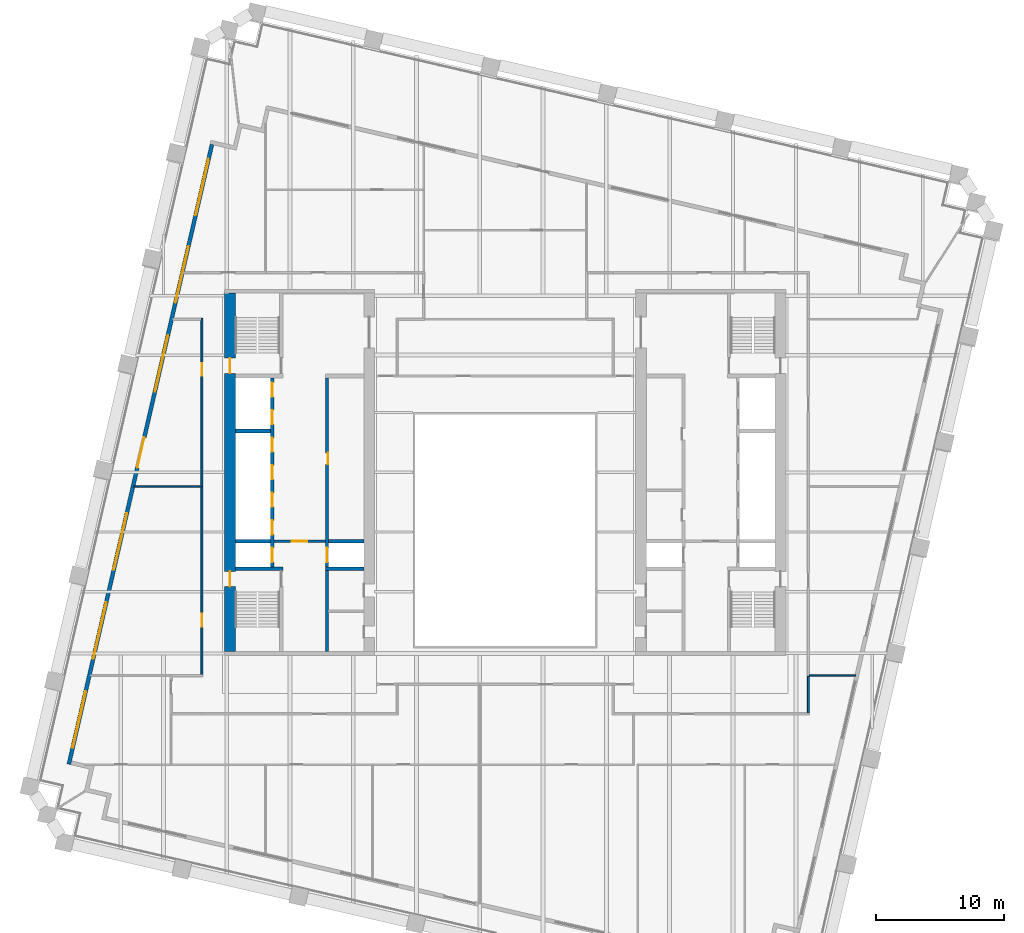
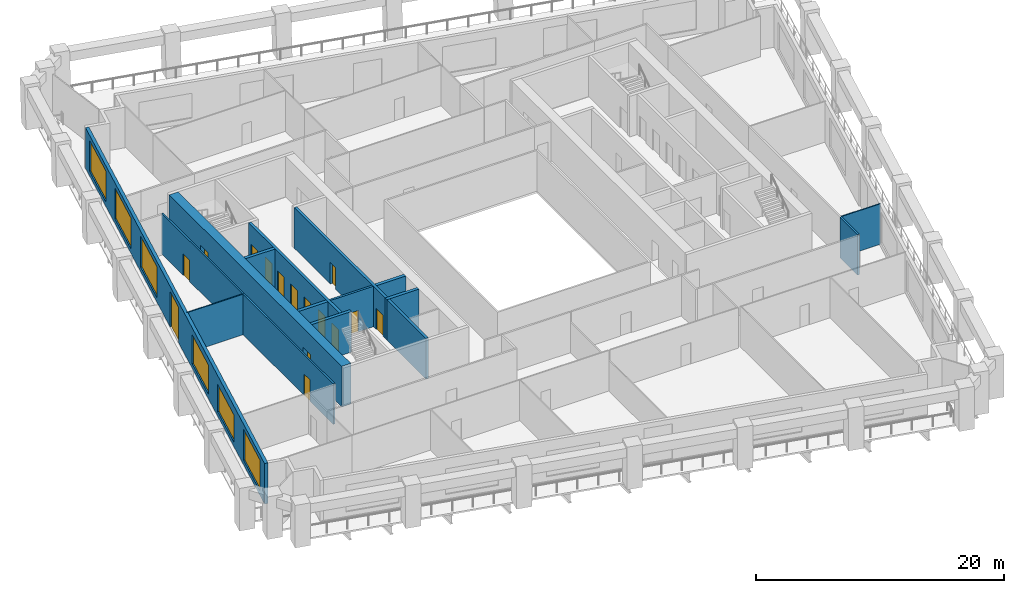
# One storey, part 5 of 10: 15 doors, 15 walls, 6 windows, 21 openings.
"""IFC4 building model written with IfcOpenShell, lengths in metres."""

from ifc_helpers import new_model, si_unit, direction, frame, frame_2d, origin, place, context, subcontext, project, spatial, rectangle, extrude, material, layer, layer_set, type_object, element, fill, save


model = new_model("IFC4")

# Units and contexts
model_context = context("Model", 3, precision=1e-05, world=origin(), true_north=direction((0.0, 1.0)))
body_context = subcontext(model_context, "Body", "Model", "MODEL_VIEW")
ifc_project = project(units=[si_unit("LENGTHUNIT", "METRE"), si_unit("AREAUNIT", "SQUARE_METRE"), si_unit("VOLUMEUNIT", "CUBIC_METRE"), si_unit("PLANEANGLEUNIT", "RADIAN"), si_unit("MASSUNIT", "GRAM", prefix="KILO")], contexts=[model_context])

# Site, building, storey
site_placement = place(None, origin())
site = spatial("IfcSite", under=ifc_project, at=site_placement, CompositionType="ELEMENT")
building_placement = place(site_placement, origin())
building = spatial("IfcBuilding", under=site, at=building_placement, Name="Ogive Exchange Tower", CompositionType="ELEMENT")
storey_placement = place(building_placement, frame((0.0, 0.0, 147.60009765625)))
storey = spatial("IfcBuildingStorey", under=building, at=storey_placement, Name="L32", CompositionType="ELEMENT", Elevation=147.60009765625)

# Wall, opening, door
ifc_material_1 = material(Name="Fire partition EI 60 150")
ifc_layer_1 = layer(ifc_material_1, 0.14990234375)
ifc_layer_set_1 = layer_set([ifc_layer_1], Name="Fire partition EI 60 150")
wall_type_1 = type_object("IfcWallType", Name="Fire partition EI 60 150", PredefinedType="PARTITIONING", material=ifc_layer_set_1)
wall_1_placement = place(storey_placement, frame((-23.60009765625, -4.2451171875, 0.0), z_axis=(0.0, 0.0, 1.0), x_axis=(0.0, 1.0, 0.0)))
wall_1 = element("IfcWall", 1, at=wall_1_placement, inside=storey, type_object=wall_type_1, Name="L32-PWL-008", PredefinedType="PARTITIONING", context=body_context, shape_type="SweptSolid", body=[
    extrude(rectangle(XDim=14.68505859375, YDim=0.14990234375, at=frame_2d((7.342529296875, 0.0))), origin(), (0.0, 0.0, 1.0), 4.0),
])
opening_1_placement = place(wall_1_placement, frame((3.735107421875, 0.0, 0.0)))
opening_1 = element("IfcOpeningElement", 2, at=opening_1_placement, cuts=wall_1, Name="Opening L32-I12", PredefinedType="OPENING", context=body_context, shape_type="SweptSolid", body=[
    extrude(rectangle(XDim=1.0, YDim=2.10009765625, at=frame_2d((0.5, 1.050048828125))), frame((0.0, 0.0849609375, 0.0), z_axis=(0.0, -1.0, 0.0), x_axis=(1.0, 0.0, 0.0)), (0.0, 0.0, 1.0), 0.169921875),
])
ifc_material_2 = material(Name="Fire door FD 30S 1000 x 2100")
door_type_1 = type_object("IfcDoorType", Name="Fire door FD 30S 1000 x 2100", OperationType="NOTDEFINED", PredefinedType="DOOR", material=ifc_material_2)
door_1_placement = place(opening_1_placement, origin())
door_1 = element("IfcDoor", 3, at=door_1_placement, inside=storey, type_object=door_type_1, Name="L32-IDR-012", ObjectType="DT3", OperationType="SINGLE_SWING_RIGHT", OverallHeight=2.10009765625, OverallWidth=1.0, PredefinedType="DOOR", context=body_context, shape_type="SweptSolid", body=[
    extrude(rectangle(XDim=1.0, YDim=2.10009765625, at=frame_2d((0.5, 1.050048828125))), frame((0.0, 0.02490234375, 0.0), z_axis=(0.0, -1.0, 0.0), x_axis=(1.0, 0.0, 0.0)), (0.0, 0.0, 1.0), 0.050048828125),
])
fill(opening_1, door_1)

wall_2_placement = place(storey_placement, frame((-23.60009765625, 10.389892578125, 0.0), z_axis=(0.0, 0.0, 1.0), x_axis=(0.0, 1.0, 0.0)))
wall_2 = element("IfcWall", 4, at=wall_2_placement, inside=storey, type_object=wall_type_1, Name="L32-PWL-010", PredefinedType="PARTITIONING", context=body_context, shape_type="SweptSolid", body=[
    extrude(rectangle(XDim=13.09521484375, YDim=0.14990234375, at=frame_2d((6.547607421875, 0.0))), origin(), (0.0, 0.0, 1.0), 4.0),
])
opening_2_placement = place(wall_2_placement, frame((8.6201171875, 0.0, 0.0)))
opening_2 = element("IfcOpeningElement", 5, at=opening_2_placement, cuts=wall_2, Name="Opening L32-I01", PredefinedType="OPENING", context=body_context, shape_type="SweptSolid", body=[
    extrude(rectangle(XDim=1.0, YDim=2.10009765625, at=frame_2d((0.5, 1.050048828125))), frame((0.0, 0.0849609375, 0.0), z_axis=(0.0, -1.0, 0.0), x_axis=(1.0, 0.0, 0.0)), (0.0, 0.0, 1.0), 0.169921875),
])
door_2_placement = place(opening_2_placement, origin())
door_2 = element("IfcDoor", 6, at=door_2_placement, inside=storey, type_object=door_type_1, Name="L32-IDR-001", ObjectType="DT3", OperationType="SINGLE_SWING_LEFT", OverallHeight=2.10009765625, OverallWidth=1.0, PredefinedType="DOOR", context=body_context, shape_type="SweptSolid", body=[
    extrude(rectangle(XDim=1.0, YDim=2.10009765625, at=frame_2d((0.5, 1.050048828125))), frame((0.0, 0.02490234375, 0.0), z_axis=(0.0, -1.0, 0.0), x_axis=(1.0, 0.0, 0.0)), (0.0, 0.0, 1.0), 0.050048828125),
])
fill(opening_2, door_2)

# Wall
wall_3_placement = place(storey_placement, frame((23.60009765625, -4.3701171875, 0.0), z_axis=(0.0, 0.0, 1.0), x_axis=(0.0, -1.0, 0.0)))
element("IfcWall", 7, at=wall_3_placement, inside=storey, type_object=wall_type_1, Name="L32-PWL-055", PredefinedType="PARTITIONING", context=body_context, shape_type="SweptSolid", body=[
    extrude(rectangle(XDim=2.85498046875, YDim=0.14990234375, at=frame_2d((1.427490234375, 0.0))), origin(), (0.0, 0.0, 1.0), 4.0),
])

# Wall, openings, door, windows
ifc_material_3 = material(Name="Precast concrete C40/50", Category="concrete")
ifc_layer_2 = layer(ifc_material_3, 0.300048828125)
ifc_layer_set_2 = layer_set([ifc_layer_2], Name="Limestone-faced wall 300")
wall_type_2 = type_object("IfcWallType", Name="Limestone-faced wall 300", PredefinedType="STANDARD", material=ifc_layer_set_2)
wall_4_placement = place(storey_placement, frame((-22.8203125, 37.015625, 0.0), z_axis=(0.0, 0.0, 1.0), x_axis=(-0.224953880882, -0.974369412223, 0.0)))
wall_4 = element("IfcWall", 8, at=wall_4_placement, inside=storey, type_object=wall_type_2, Name="External wall W4", PredefinedType="STANDARD", context=body_context, shape_type="SweptSolid", body=[
    extrude(rectangle(XDim=49.500244140625, YDim=0.300048828125, at=frame_2d((24.75, 0.0))), origin(), (0.0, 0.0, 1.0), 4.0),
])
opening_3_placement = place(wall_4_placement, frame((1.156982421875, 0.0, 0.449951171875)))
opening_3 = element("IfcOpeningElement", 9, at=opening_3_placement, cuts=wall_4, Name="Opening W1", PredefinedType="OPENING", context=body_context, shape_type="SweptSolid", body=[
    extrude(rectangle(XDim=4.5, YDim=3.050048828125, at=frame_2d((2.25, 1.52490234375))), frame((0.0, 0.159912109375, 0.0), z_axis=(0.0, -1.0, 0.0), x_axis=(1.0, 0.0, 0.0)), (0.0, 0.0, 1.0), 0.320068359375),
])
opening_4_placement = place(wall_4_placement, frame((8.121337890625, 0.0, 0.449951171875)))
opening_4 = element("IfcOpeningElement", 10, at=opening_4_placement, cuts=wall_4, Name="Opening W1", PredefinedType="OPENING", context=body_context, shape_type="SweptSolid", body=[
    extrude(rectangle(XDim=4.5, YDim=3.050048828125, at=frame_2d((2.25, 1.52490234375))), frame((0.0, 0.159912109375, 0.0), z_axis=(0.0, -1.0, 0.0), x_axis=(1.0, 0.0, 0.0)), (0.0, 0.0, 1.0), 0.320068359375),
])
opening_5_placement = place(wall_4_placement, frame((15.235595703125, 0.0, 0.449951171875)))
opening_5 = element("IfcOpeningElement", 11, at=opening_5_placement, cuts=wall_4, Name="Opening W1", PredefinedType="OPENING", context=body_context, shape_type="SweptSolid", body=[
    extrude(rectangle(XDim=4.5, YDim=3.050048828125, at=frame_2d((2.25, 1.52490234375))), frame((0.0, 0.159912109375, 0.0), z_axis=(0.0, -1.0, 0.0), x_axis=(1.0, 0.0, 0.0)), (0.0, 0.0, 1.0), 0.320068359375),
])
opening_6_placement = place(wall_4_placement, frame((23.39990234375, 0.0, 0.0)))
opening_6 = element("IfcOpeningElement", 12, at=opening_6_placement, cuts=wall_4, Name="Opening D1", PredefinedType="OPENING", context=body_context, shape_type="SweptSolid", body=[
    extrude(rectangle(XDim=2.39990234375, YDim=3.5, at=frame_2d((1.199951171875, 1.75))), frame((0.0, 0.159912109375, 0.0), z_axis=(0.0, -1.0, 0.0), x_axis=(1.0, 0.0, 0.0)), (0.0, 0.0, 1.0), 0.320068359375),
])
opening_7_placement = place(wall_4_placement, frame((29.464111328125, 0.0, 0.449951171875)))
opening_7 = element("IfcOpeningElement", 13, at=opening_7_placement, cuts=wall_4, Name="Opening W1D", PredefinedType="OPENING", context=body_context, shape_type="SweptSolid", body=[
    extrude(rectangle(XDim=4.5, YDim=2.875, at=frame_2d((2.25, 1.4375))), frame((0.0, 0.159912109375, 0.0), z_axis=(0.0, -1.0, 0.0), x_axis=(1.0, 0.0, 0.0)), (0.0, 0.0, 1.0), 0.320068359375),
])
opening_8_placement = place(wall_4_placement, frame((36.57861328125, 0.0, 0.449951171875)))
opening_8 = element("IfcOpeningElement", 14, at=opening_8_placement, cuts=wall_4, Name="Opening W1J", PredefinedType="OPENING", context=body_context, shape_type="SweptSolid", body=[
    extrude(rectangle(XDim=4.5, YDim=2.675048828125, at=frame_2d((2.25, 1.33740234375))), frame((0.0, 0.159912109375, 0.0), z_axis=(0.0, -1.0, 0.0), x_axis=(1.0, 0.0, 0.0)), (0.0, 0.0, 1.0), 0.320068359375),
])
opening_9_placement = place(wall_4_placement, frame((43.69287109375, 0.0, 0.449951171875)))
opening_9 = element("IfcOpeningElement", 15, at=opening_9_placement, cuts=wall_4, Name="Opening W1", PredefinedType="OPENING", context=body_context, shape_type="SweptSolid", body=[
    extrude(rectangle(XDim=4.5, YDim=3.050048828125, at=frame_2d((2.25, 1.52490234375))), frame((0.0, 0.159912109375, 0.0), z_axis=(0.0, -1.0, 0.0), x_axis=(1.0, 0.0, 0.0)), (0.0, 0.0, 1.0), 0.320068359375),
])
ifc_material_4 = material(Name="Clear glass in bronze frame", Category="glass")
door_type_2 = type_object("IfcDoorType", Name="Sliding loggia door 2400 x 3500", OperationType="DOUBLE_DOOR_SLIDING", PredefinedType="DOOR", material=ifc_material_4)
door_3_placement = place(opening_6_placement, origin())
door_3 = element("IfcDoor", 16, at=door_3_placement, inside=storey, type_object=door_type_2, Name="Loggia door W03", OperationType="DOUBLE_DOOR_SLIDING", OverallHeight=3.5, OverallWidth=2.39990234375, PredefinedType="DOOR", context=body_context, shape_type="SweptSolid", body=[
    extrude(rectangle(XDim=2.39990234375, YDim=3.5, at=frame_2d((1.199951171875, 1.75))), frame((0.0, 0.02490234375, 0.0), z_axis=(0.0, -1.0, 0.0), x_axis=(1.0, 0.0, 0.0)), (0.0, 0.0, 1.0), 0.050048828125),
])
fill(opening_6, door_3)
window_type_1 = type_object("IfcWindowType", Name="Twin lancet window 4500 x 2675", PartitioningType="DOUBLE_PANEL_VERTICAL", PredefinedType="WINDOW", material=ifc_material_4)
window_1_placement = place(opening_8_placement, origin())
window_1 = element("IfcWindow", 17, at=window_1_placement, inside=storey, type_object=window_type_1, Name="Window W05", OverallHeight=2.675048828125, OverallWidth=4.5, PartitioningType="DOUBLE_PANEL_VERTICAL", PredefinedType="WINDOW", context=body_context, shape_type="SweptSolid", body=[
    extrude(rectangle(XDim=4.5, YDim=2.675048828125, at=frame_2d((2.25, 1.33740234375))), frame((0.0, 0.030029296875, 0.0), z_axis=(0.0, -1.0, 0.0), x_axis=(1.0, 0.0, 0.0)), (0.0, 0.0, 1.0), 0.06005859375),
])
fill(opening_8, window_1)
window_type_2 = type_object("IfcWindowType", Name="Twin lancet window 4500 x 2875", PartitioningType="DOUBLE_PANEL_VERTICAL", PredefinedType="WINDOW", material=ifc_material_4)
window_2_placement = place(opening_7_placement, origin())
window_2 = element("IfcWindow", 18, at=window_2_placement, inside=storey, type_object=window_type_2, Name="Window W04", OverallHeight=2.875, OverallWidth=4.5, PartitioningType="DOUBLE_PANEL_VERTICAL", PredefinedType="WINDOW", context=body_context, shape_type="SweptSolid", body=[
    extrude(rectangle(XDim=4.5, YDim=2.875, at=frame_2d((2.25, 1.4375))), frame((0.0, 0.030029296875, 0.0), z_axis=(0.0, -1.0, 0.0), x_axis=(1.0, 0.0, 0.0)), (0.0, 0.0, 1.0), 0.06005859375),
])
fill(opening_7, window_2)
window_type_3 = type_object("IfcWindowType", Name="Twin lancet window 4500 x 3050", PartitioningType="DOUBLE_PANEL_VERTICAL", PredefinedType="WINDOW", material=ifc_material_4)
window_3_placement = place(opening_3_placement, origin())
window_3 = element("IfcWindow", 19, at=window_3_placement, inside=storey, type_object=window_type_3, Name="Window W00", OverallHeight=3.050048828125, OverallWidth=4.5, PartitioningType="DOUBLE_PANEL_VERTICAL", PredefinedType="WINDOW", context=body_context, shape_type="SweptSolid", body=[
    extrude(rectangle(XDim=4.5, YDim=3.050048828125, at=frame_2d((2.25, 1.52490234375))), frame((0.0, 0.030029296875, 0.0), z_axis=(0.0, -1.0, 0.0), x_axis=(1.0, 0.0, 0.0)), (0.0, 0.0, 1.0), 0.06005859375),
])
fill(opening_3, window_3)
window_4_placement = place(opening_4_placement, origin())
window_4 = element("IfcWindow", 20, at=window_4_placement, inside=storey, type_object=window_type_3, Name="Window W01", OverallHeight=3.050048828125, OverallWidth=4.5, PartitioningType="DOUBLE_PANEL_VERTICAL", PredefinedType="WINDOW", context=body_context, shape_type="SweptSolid", body=[
    extrude(rectangle(XDim=4.5, YDim=3.050048828125, at=frame_2d((2.25, 1.52490234375))), frame((0.0, 0.030029296875, 0.0), z_axis=(0.0, -1.0, 0.0), x_axis=(1.0, 0.0, 0.0)), (0.0, 0.0, 1.0), 0.06005859375),
])
fill(opening_4, window_4)
window_5_placement = place(opening_5_placement, origin())
window_5 = element("IfcWindow", 21, at=window_5_placement, inside=storey, type_object=window_type_3, Name="Window W02", OverallHeight=3.050048828125, OverallWidth=4.5, PartitioningType="DOUBLE_PANEL_VERTICAL", PredefinedType="WINDOW", context=body_context, shape_type="SweptSolid", body=[
    extrude(rectangle(XDim=4.5, YDim=3.050048828125, at=frame_2d((2.25, 1.52490234375))), frame((0.0, 0.030029296875, 0.0), z_axis=(0.0, -1.0, 0.0), x_axis=(1.0, 0.0, 0.0)), (0.0, 0.0, 1.0), 0.06005859375),
])
fill(opening_5, window_5)
window_6_placement = place(opening_9_placement, origin())
window_6 = element("IfcWindow", 22, at=window_6_placement, inside=storey, type_object=window_type_3, Name="Window W06", OverallHeight=3.050048828125, OverallWidth=4.5, PartitioningType="DOUBLE_PANEL_VERTICAL", PredefinedType="WINDOW", context=body_context, shape_type="SweptSolid", body=[
    extrude(rectangle(XDim=4.5, YDim=3.050048828125, at=frame_2d((2.25, 1.52490234375))), frame((0.0, 0.030029296875, 0.0), z_axis=(0.0, -1.0, 0.0), x_axis=(1.0, 0.0, 0.0)), (0.0, 0.0, 1.0), 0.06005859375),
])
fill(opening_9, window_6)

# Walls
ifc_material_5 = material(Name="Partition 100 gypsum")
ifc_layer_3 = layer(ifc_material_5, 0.10009765625)
ifc_layer_set_3 = layer_set([ifc_layer_3], Name="Partition 100 gypsum")
wall_type_3 = type_object("IfcWallType", Name="Partition 100 gypsum", PredefinedType="PARTITIONING", material=ifc_layer_set_3)
wall_5_placement = place(storey_placement, frame((-23.675048828125, 10.389892578125, 0.0), z_axis=(0.0, 0.0, 1.0), x_axis=(-1.0, 0.0, 0.0)))
element("IfcWall", 23, at=wall_5_placement, inside=storey, type_object=wall_type_3, Name="L32-PWL-009", PredefinedType="PARTITIONING", context=body_context, shape_type="SweptSolid", body=[
    extrude(rectangle(XDim=5.220947265625, YDim=0.10009765625, at=frame_2d((2.6103515625, 0.0))), origin(), (0.0, 0.0, 1.0), 4.0),
])
wall_6_placement = place(storey_placement, frame((27.2958984375, -4.320068359375, 0.0), z_axis=(0.0, 0.0, 1.0), x_axis=(-1.0, 0.0, 0.0)))
element("IfcWall", 24, at=wall_6_placement, inside=storey, type_object=wall_type_3, Name="L32-PWL-061", PredefinedType="PARTITIONING", context=body_context, shape_type="SweptSolid", body=[
    extrude(rectangle(XDim=3.620849609375, YDim=0.10009765625, at=frame_2d((1.810546875, 0.0))), origin(), (0.0, 0.0, 1.0), 4.0),
])

# Wall, opening, door
ifc_material_6 = material(Name="Concrete C70/85", Category="concrete")
ifc_layer_4 = layer(ifc_material_6, 0.199951171875)
ifc_layer_set_4 = layer_set([ifc_layer_4], Name="RC core wall 200 C70/85")
wall_type_4 = type_object("IfcWallType", Name="RC core wall 200 C70/85", PredefinedType="SHEAR", material=ifc_layer_set_4)
wall_7_placement = place(storey_placement, frame((-18.0, 6.142822265625, 0.0), z_axis=(0.0, 0.0, 1.0), x_axis=(1.0, 0.0, 0.0)))
wall_7 = element("IfcWall", 25, at=wall_7_placement, inside=storey, type_object=wall_type_4, Name="W firefighting lobby wall", PredefinedType="SHEAR", context=body_context, shape_type="SweptSolid", body=[
    extrude(rectangle(XDim=4.0, YDim=0.199951171875, at=frame_2d((2.0, 0.0))), origin(), (0.0, 0.0, 1.0), 4.0),
])
opening_10_placement = place(wall_7_placement, frame((1.39990234375, 0.0, 0.0)))
opening_10 = element("IfcOpeningElement", 26, at=opening_10_placement, cuts=wall_7, Name="Opening L32-C10", PredefinedType="OPENING", context=body_context, shape_type="SweptSolid", body=[
    extrude(rectangle(XDim=1.199951171875, YDim=2.10009765625, at=frame_2d((0.60009765625, 1.050048828125))), frame((0.0, 0.10986328125, 0.0), z_axis=(0.0, -1.0, 0.0), x_axis=(1.0, 0.0, 0.0)), (0.0, 0.0, 1.0), 0.219970703125),
])
ifc_material_7 = material(Name="Steel fire door", Category="steel")
door_type_3 = type_object("IfcDoorType", Name="Firefighting lobby door FD60 1200 x 2100", OperationType="NOTDEFINED", PredefinedType="DOOR", material=ifc_material_7)
door_4_placement = place(opening_10_placement, frame((1.199951171875, 0.0, 0.0), z_axis=(0.0, 0.0, 1.0), x_axis=(-1.0, 0.0, 0.0)))
door_4 = element("IfcDoor", 27, at=door_4_placement, inside=storey, type_object=door_type_3, Name="Firefighting lobby door", ObjectType="CD3", OperationType="SINGLE_SWING_LEFT", OverallHeight=2.10009765625, OverallWidth=1.199951171875, PredefinedType="DOOR", context=body_context, shape_type="SweptSolid", body=[
    extrude(rectangle(XDim=1.199951171875, YDim=2.10009765625, at=frame_2d((0.60009765625, 1.050048828125))), frame((0.0, 0.02490234375, 0.0), z_axis=(0.0, -1.0, 0.0), x_axis=(1.0, 0.0, 0.0)), (0.0, 0.0, 1.0), 0.050048828125),
])
fill(opening_10, door_4)

# Wall, openings, doors
ifc_layer_5 = layer(ifc_material_6, 0.25)
ifc_layer_set_5 = layer_set([ifc_layer_5], Name="RC core wall 250 C70/85")
wall_type_5 = type_object("IfcWallType", Name="RC core wall 250 C70/85", PredefinedType="SHEAR", material=ifc_layer_set_5)
wall_8_placement = place(storey_placement, frame((-18.125, 4.14990234375, 0.0), z_axis=(0.0, 0.0, 1.0), x_axis=(0.0, 1.0, 0.0)))
wall_8 = element("IfcWall", 28, at=wall_8_placement, inside=storey, type_object=wall_type_5, Name="W row A front wall", PredefinedType="SHEAR", context=body_context, shape_type="SweptSolid", body=[
    extrude(rectangle(XDim=14.7001953125, YDim=0.25, at=frame_2d((7.35009765625, 0.0))), origin(), (0.0, 0.0, 1.0), 4.0),
])
opening_11_placement = place(wall_8_placement, frame((0.371337890625, 0.0, 0.0)))
opening_11 = element("IfcOpeningElement", 29, at=opening_11_placement, cuts=wall_8, Name="Opening L32-C01", PredefinedType="OPENING", context=body_context, shape_type="SweptSolid", body=[
    extrude(rectangle(XDim=1.10009765625, YDim=2.10009765625, at=frame_2d((0.550048828125, 1.050048828125))), frame((0.0, 0.135009765625, 0.0), z_axis=(0.0, -1.0, 0.0), x_axis=(1.0, 0.0, 0.0)), (0.0, 0.0, 1.0), 0.27001953125),
])
opening_12_placement = place(wall_8_placement, frame((2.514404296875, 0.0, 0.0)))
opening_12 = element("IfcOpeningElement", 30, at=opening_12_placement, cuts=wall_8, Name="Opening L32-C02", PredefinedType="OPENING", context=body_context, shape_type="SweptSolid", body=[
    extrude(rectangle(XDim=1.10009765625, YDim=2.10009765625, at=frame_2d((0.550048828125, 1.050048828125))), frame((0.0, 0.135009765625, 0.0), z_axis=(0.0, -1.0, 0.0), x_axis=(1.0, 0.0, 0.0)), (0.0, 0.0, 1.0), 0.27001953125),
])
opening_13_placement = place(wall_8_placement, frame((4.656982421875, 0.0, 0.0)))
opening_13 = element("IfcOpeningElement", 31, at=opening_13_placement, cuts=wall_8, Name="Opening L32-C03", PredefinedType="OPENING", context=body_context, shape_type="SweptSolid", body=[
    extrude(rectangle(XDim=1.10009765625, YDim=2.10009765625, at=frame_2d((0.550048828125, 1.050048828125))), frame((0.0, 0.135009765625, 0.0), z_axis=(0.0, -1.0, 0.0), x_axis=(1.0, 0.0, 0.0)), (0.0, 0.0, 1.0), 0.27001953125),
])
opening_14_placement = place(wall_8_placement, frame((6.800048828125, 0.0, 0.0)))
opening_14 = element("IfcOpeningElement", 32, at=opening_14_placement, cuts=wall_8, Name="Opening L32-C04", PredefinedType="OPENING", context=body_context, shape_type="SweptSolid", body=[
    extrude(rectangle(XDim=1.10009765625, YDim=2.10009765625, at=frame_2d((0.550048828125, 1.050048828125))), frame((0.0, 0.135009765625, 0.0), z_axis=(0.0, -1.0, 0.0), x_axis=(1.0, 0.0, 0.0)), (0.0, 0.0, 1.0), 0.27001953125),
])
opening_15_placement = place(wall_8_placement, frame((8.94287109375, 0.0, 0.0)))
opening_15 = element("IfcOpeningElement", 33, at=opening_15_placement, cuts=wall_8, Name="Opening L32-C05", PredefinedType="OPENING", context=body_context, shape_type="SweptSolid", body=[
    extrude(rectangle(XDim=1.10009765625, YDim=2.10009765625, at=frame_2d((0.550048828125, 1.050048828125))), frame((0.0, 0.135009765625, 0.0), z_axis=(0.0, -1.0, 0.0), x_axis=(1.0, 0.0, 0.0)), (0.0, 0.0, 1.0), 0.27001953125),
])
opening_16_placement = place(wall_8_placement, frame((11.085693359375, 0.0, 0.0)))
opening_16 = element("IfcOpeningElement", 34, at=opening_16_placement, cuts=wall_8, Name="Opening L32-C06", PredefinedType="OPENING", context=body_context, shape_type="SweptSolid", body=[
    extrude(rectangle(XDim=1.10009765625, YDim=2.10009765625, at=frame_2d((0.550048828125, 1.050048828125))), frame((0.0, 0.135009765625, 0.0), z_axis=(0.0, -1.0, 0.0), x_axis=(1.0, 0.0, 0.0)), (0.0, 0.0, 1.0), 0.27001953125),
])
opening_17_placement = place(wall_8_placement, frame((13.228515625, 0.0, 0.0)))
opening_17 = element("IfcOpeningElement", 35, at=opening_17_placement, cuts=wall_8, Name="Opening L32-C07", PredefinedType="OPENING", context=body_context, shape_type="SweptSolid", body=[
    extrude(rectangle(XDim=1.10009765625, YDim=2.10009765625, at=frame_2d((0.550048828125, 1.050048828125))), frame((0.0, 0.135009765625, 0.0), z_axis=(0.0, -1.0, 0.0), x_axis=(1.0, 0.0, 0.0)), (0.0, 0.0, 1.0), 0.27001953125),
])
ifc_material_8 = material(Name="Stainless steel", Category="steel")
door_type_4 = type_object("IfcDoorType", Name="Lift landing door FD90 1100 x 2100", OperationType="SLIDING_TO_LEFT", PredefinedType="DOOR", material=ifc_material_8)
door_5_placement = place(opening_11_placement, origin())
door_5 = element("IfcDoor", 36, at=door_5_placement, inside=storey, type_object=door_type_4, Name="Lift landing door FF1", ObjectType="LD", OperationType="SLIDING_TO_LEFT", OverallHeight=2.10009765625, OverallWidth=1.10009765625, PredefinedType="DOOR", context=body_context, shape_type="SweptSolid", body=[
    extrude(rectangle(XDim=1.10009765625, YDim=2.10009765625, at=frame_2d((0.550048828125, 1.050048828125))), frame((0.0, 0.02490234375, 0.0), z_axis=(0.0, -1.0, 0.0), x_axis=(1.0, 0.0, 0.0)), (0.0, 0.0, 1.0), 0.050048828125),
])
fill(opening_11, door_5)
door_6_placement = place(opening_12_placement, origin())
door_6 = element("IfcDoor", 37, at=door_6_placement, inside=storey, type_object=door_type_4, Name="Lift landing door W-L1", ObjectType="LD", OperationType="SLIDING_TO_LEFT", OverallHeight=2.10009765625, OverallWidth=1.10009765625, PredefinedType="DOOR", context=body_context, shape_type="SweptSolid", body=[
    extrude(rectangle(XDim=1.10009765625, YDim=2.10009765625, at=frame_2d((0.550048828125, 1.050048828125))), frame((0.0, 0.02490234375, 0.0), z_axis=(0.0, -1.0, 0.0), x_axis=(1.0, 0.0, 0.0)), (0.0, 0.0, 1.0), 0.050048828125),
])
fill(opening_12, door_6)
door_7_placement = place(opening_13_placement, origin())
door_7 = element("IfcDoor", 38, at=door_7_placement, inside=storey, type_object=door_type_4, Name="Lift landing door W-L2", ObjectType="LD", OperationType="SLIDING_TO_LEFT", OverallHeight=2.10009765625, OverallWidth=1.10009765625, PredefinedType="DOOR", context=body_context, shape_type="SweptSolid", body=[
    extrude(rectangle(XDim=1.10009765625, YDim=2.10009765625, at=frame_2d((0.550048828125, 1.050048828125))), frame((0.0, 0.02490234375, 0.0), z_axis=(0.0, -1.0, 0.0), x_axis=(1.0, 0.0, 0.0)), (0.0, 0.0, 1.0), 0.050048828125),
])
fill(opening_13, door_7)
door_8_placement = place(opening_14_placement, origin())
door_8 = element("IfcDoor", 39, at=door_8_placement, inside=storey, type_object=door_type_4, Name="Lift landing door W-L3", ObjectType="LD", OperationType="SLIDING_TO_LEFT", OverallHeight=2.10009765625, OverallWidth=1.10009765625, PredefinedType="DOOR", context=body_context, shape_type="SweptSolid", body=[
    extrude(rectangle(XDim=1.10009765625, YDim=2.10009765625, at=frame_2d((0.550048828125, 1.050048828125))), frame((0.0, 0.02490234375, 0.0), z_axis=(0.0, -1.0, 0.0), x_axis=(1.0, 0.0, 0.0)), (0.0, 0.0, 1.0), 0.050048828125),
])
fill(opening_14, door_8)
door_9_placement = place(opening_15_placement, origin())
door_9 = element("IfcDoor", 40, at=door_9_placement, inside=storey, type_object=door_type_4, Name="Lift landing door W-L4", ObjectType="LD", OperationType="SLIDING_TO_LEFT", OverallHeight=2.10009765625, OverallWidth=1.10009765625, PredefinedType="DOOR", context=body_context, shape_type="SweptSolid", body=[
    extrude(rectangle(XDim=1.10009765625, YDim=2.10009765625, at=frame_2d((0.550048828125, 1.050048828125))), frame((0.0, 0.02490234375, 0.0), z_axis=(0.0, -1.0, 0.0), x_axis=(1.0, 0.0, 0.0)), (0.0, 0.0, 1.0), 0.050048828125),
])
fill(opening_15, door_9)
door_10_placement = place(opening_16_placement, origin())
door_10 = element("IfcDoor", 41, at=door_10_placement, inside=storey, type_object=door_type_4, Name="Lift landing door W-SH1", ObjectType="LD", OperationType="SLIDING_TO_LEFT", OverallHeight=2.10009765625, OverallWidth=1.10009765625, PredefinedType="DOOR", context=body_context, shape_type="SweptSolid", body=[
    extrude(rectangle(XDim=1.10009765625, YDim=2.10009765625, at=frame_2d((0.550048828125, 1.050048828125))), frame((0.0, 0.02490234375, 0.0), z_axis=(0.0, -1.0, 0.0), x_axis=(1.0, 0.0, 0.0)), (0.0, 0.0, 1.0), 0.050048828125),
])
fill(opening_16, door_10)
door_11_placement = place(opening_17_placement, origin())
door_11 = element("IfcDoor", 42, at=door_11_placement, inside=storey, type_object=door_type_4, Name="Lift landing door W-SH2", ObjectType="LD", OperationType="SLIDING_TO_LEFT", OverallHeight=2.10009765625, OverallWidth=1.10009765625, PredefinedType="DOOR", context=body_context, shape_type="SweptSolid", body=[
    extrude(rectangle(XDim=1.10009765625, YDim=2.10009765625, at=frame_2d((0.550048828125, 1.050048828125))), frame((0.0, 0.02490234375, 0.0), z_axis=(0.0, -1.0, 0.0), x_axis=(1.0, 0.0, 0.0)), (0.0, 0.0, 1.0), 0.050048828125),
])
fill(opening_17, door_11)

wall_9_placement = place(storey_placement, frame((-13.875, -2.449951171875, 0.0), z_axis=(0.0, 0.0, 1.0), x_axis=(0.0, 1.0, 0.0)))
wall_9 = element("IfcWall", 43, at=wall_9_placement, inside=storey, type_object=wall_type_5, Name="W row B front wall", PredefinedType="SHEAR", context=body_context, shape_type="SweptSolid", body=[
    extrude(rectangle(XDim=21.300048828125, YDim=0.25, at=frame_2d((10.64990234375, 0.0))), origin(), (0.0, 0.0, 1.0), 4.0),
])
opening_18_placement = place(wall_9_placement, frame((14.5712890625, 0.0, 0.0)))
opening_18 = element("IfcOpeningElement", 44, at=opening_18_placement, cuts=wall_9, Name="Opening L32-C08", PredefinedType="OPENING", context=body_context, shape_type="SweptSolid", body=[
    extrude(rectangle(XDim=0.89990234375, YDim=2.10009765625, at=frame_2d((0.449951171875, 1.050048828125))), frame((0.0, 0.135009765625, 0.0), z_axis=(0.0, -1.0, 0.0), x_axis=(1.0, 0.0, 0.0)), (0.0, 0.0, 1.0), 0.27001953125),
])
opening_19_placement = place(wall_9_placement, frame((6.971435546875, 0.0, 0.0)))
opening_19 = element("IfcOpeningElement", 45, at=opening_19_placement, cuts=wall_9, Name="Opening L32-C09", PredefinedType="OPENING", context=body_context, shape_type="SweptSolid", body=[
    extrude(rectangle(XDim=1.10009765625, YDim=2.10009765625, at=frame_2d((0.550048828125, 1.050048828125))), frame((0.0, 0.135009765625, 0.0), z_axis=(0.0, -1.0, 0.0), x_axis=(1.0, 0.0, 0.0)), (0.0, 0.0, 1.0), 0.27001953125),
])
door_12_placement = place(opening_19_placement, origin())
door_12 = element("IfcDoor", 46, at=door_12_placement, inside=storey, type_object=door_type_4, Name="Lift landing door SV1", ObjectType="LD", OperationType="SLIDING_TO_LEFT", OverallHeight=2.10009765625, OverallWidth=1.10009765625, PredefinedType="DOOR", context=body_context, shape_type="SweptSolid", body=[
    extrude(rectangle(XDim=1.10009765625, YDim=2.10009765625, at=frame_2d((0.550048828125, 1.050048828125))), frame((0.0, 0.02490234375, 0.0), z_axis=(0.0, -1.0, 0.0), x_axis=(1.0, 0.0, 0.0)), (0.0, 0.0, 1.0), 0.050048828125),
])
fill(opening_19, door_12)
door_type_5 = type_object("IfcDoorType", Name="Riser door FD60 900 x 2100", OperationType="NOTDEFINED", PredefinedType="DOOR", material=ifc_material_7)
door_13_placement = place(opening_18_placement, frame((0.89990234375, -0.2001953125, 0.0), z_axis=(0.0, 0.0, 1.0), x_axis=(-1.0, 0.0, 0.0)))
door_13 = element("IfcDoor", 47, at=door_13_placement, inside=storey, type_object=door_type_5, Name="Riser door", ObjectType="CD2", OperationType="SINGLE_SWING_RIGHT", OverallHeight=2.10009765625, OverallWidth=0.89990234375, PredefinedType="DOOR", context=body_context, shape_type="SweptSolid", body=[
    extrude(rectangle(XDim=0.89990234375, YDim=2.10009765625, at=frame_2d((0.449951171875, 1.050048828125))), frame((0.0, -0.0751953125, 0.0), z_axis=(0.0, -1.0, 0.0), x_axis=(1.0, 0.0, 0.0)), (0.0, 0.0, 1.0), 0.050048828125),
])
fill(opening_18, door_13)

# Walls
ifc_layer_6 = layer(ifc_material_6, 0.300048828125)
ifc_layer_set_6 = layer_set([ifc_layer_6], Name="RC core wall 300 C70/85")
wall_type_6 = type_object("IfcWallType", Name="RC core wall 300 C70/85", PredefinedType="SHEAR", material=ifc_layer_set_6)
wall_10_placement = place(storey_placement, frame((-21.0, 4.0, 0.0), z_axis=(0.0, 0.0, 1.0), x_axis=(1.0, 0.0, 0.0)))
element("IfcWall", 48, at=wall_10_placement, inside=storey, type_object=wall_type_6, Name="W stair S north wall", PredefinedType="SHEAR", context=body_context, shape_type="SweptSolid", body=[
    extrude(rectangle(XDim=3.699951171875, YDim=0.300048828125, at=frame_2d((1.85009765625, 0.0))), origin(), (0.0, 0.0, 1.0), 4.0),
])
for number, where, z_axis, x_axis, name in (
    (49, (-21.0, 6.142822265625, 0.0), (0.0, 0.0, 1.0), (1.0, 0.0, 0.0), "W row A divider 1"),
    (50, (-21.0, 14.71435546875, 0.0), (0.0, 0.0, 1.0), (1.0, 0.0, 0.0), "W row A divider 5"),
):
    element("IfcWall", number, at=place(storey_placement, frame(where, z_axis=z_axis, x_axis=x_axis)), inside=storey, type_object=wall_type_6, Name=name, PredefinedType="SHEAR", context=body_context, shape_type="SweptSolid", body=[
        extrude(rectangle(XDim=2.75, YDim=0.300048828125, at=frame_2d((1.375, 0.0))), origin(), (0.0, 0.0, 1.0), 4.0),
    ])
wall_11_placement = place(storey_placement, frame((-14.0, 4.0, 0.0), z_axis=(0.0, 0.0, 1.0), x_axis=(1.0, 0.0, 0.0)))
element("IfcWall", 51, at=wall_11_placement, inside=storey, type_object=wall_type_6, Name="W row B divider 0", PredefinedType="SHEAR", context=body_context, shape_type="SweptSolid", body=[
    extrude(rectangle(XDim=3.0, YDim=0.300048828125, at=frame_2d((1.5, 0.0))), origin(), (0.0, 0.0, 1.0), 4.0),
])
wall_12_placement = place(storey_placement, frame((-13.75, 6.142822265625, 0.0), z_axis=(0.0, 0.0, 1.0), x_axis=(1.0, 0.0, 0.0)))
element("IfcWall", 52, at=wall_12_placement, inside=storey, type_object=wall_type_6, Name="W row B divider 1", PredefinedType="SHEAR", context=body_context, shape_type="SweptSolid", body=[
    extrude(rectangle(XDim=2.75, YDim=0.300048828125, at=frame_2d((1.375, 0.0))), origin(), (0.0, 0.0, 1.0), 4.0),
])

# Wall, openings, doors
ifc_layer_7 = layer(ifc_material_6, 0.85009765625)
ifc_layer_set_7 = layer_set([ifc_layer_7], Name="RC core wall 850 C70/85")
wall_type_7 = type_object("IfcWallType", Name="RC core wall 850 C70/85", PredefinedType="SHEAR", material=ifc_layer_set_7)
wall_13_placement = place(storey_placement, frame((-21.425048828125, -2.449951171875, 0.0), z_axis=(0.0, 0.0, 1.0), x_axis=(0.0, 1.0, 0.0)))
wall_13 = element("IfcWall", 53, at=wall_13_placement, inside=storey, type_object=wall_type_7, Name="W outer wall", PredefinedType="SHEAR", context=body_context, shape_type="SweptSolid", body=[
    extrude(rectangle(XDim=27.89990234375, YDim=0.85009765625, at=frame_2d((13.949951171875, 0.0))), origin(), (0.0, 0.0, 1.0), 4.0),
])
opening_20_placement = place(wall_13_placement, frame((5.050048828125, 0.0, 0.0)))
opening_20 = element("IfcOpeningElement", 54, at=opening_20_placement, cuts=wall_13, Name="Opening L32-C13", PredefinedType="OPENING", context=body_context, shape_type="SweptSolid", body=[
    extrude(rectangle(XDim=1.199951171875, YDim=2.10009765625, at=frame_2d((0.60009765625, 1.050048828125))), frame((0.0, 0.43505859375, 0.0), z_axis=(0.0, -1.0, 0.0), x_axis=(1.0, 0.0, 0.0)), (0.0, 0.0, 1.0), 0.8701171875),
])
opening_21_placement = place(wall_13_placement, frame((21.64990234375, 0.0, 0.0)))
opening_21 = element("IfcOpeningElement", 55, at=opening_21_placement, cuts=wall_13, Name="Opening L32-C15", PredefinedType="OPENING", context=body_context, shape_type="SweptSolid", body=[
    extrude(rectangle(XDim=1.199951171875, YDim=2.10009765625, at=frame_2d((0.60009765625, 1.050048828125))), frame((0.0, 0.43505859375, 0.0), z_axis=(0.0, -1.0, 0.0), x_axis=(1.0, 0.0, 0.0)), (0.0, 0.0, 1.0), 0.8701171875),
])
door_type_6 = type_object("IfcDoorType", Name="Stair door FD90 1200 x 2100", OperationType="NOTDEFINED", PredefinedType="DOOR", material=ifc_material_7)
door_14_placement = place(opening_20_placement, frame((1.199951171875, 0.0, 0.0), z_axis=(0.0, 0.0, 1.0), x_axis=(-1.0, 0.0, 0.0)))
door_14 = element("IfcDoor", 56, at=door_14_placement, inside=storey, type_object=door_type_6, Name="Stair door", ObjectType="CD5", OperationType="SINGLE_SWING_RIGHT", OverallHeight=2.10009765625, OverallWidth=1.199951171875, PredefinedType="DOOR", context=body_context, shape_type="SweptSolid", body=[
    extrude(rectangle(XDim=1.199951171875, YDim=2.10009765625, at=frame_2d((0.60009765625, 1.050048828125))), frame((0.0, 0.02490234375, 0.0), z_axis=(0.0, -1.0, 0.0), x_axis=(1.0, 0.0, 0.0)), (0.0, 0.0, 1.0), 0.050048828125),
])
fill(opening_20, door_14)
door_15_placement = place(opening_21_placement, frame((1.199951171875, 0.0, 0.0), z_axis=(0.0, 0.0, 1.0), x_axis=(-1.0, 0.0, 0.0)))
door_15 = element("IfcDoor", 57, at=door_15_placement, inside=storey, type_object=door_type_6, Name="Stair door", ObjectType="CD5", OperationType="SINGLE_SWING_LEFT", OverallHeight=2.10009765625, OverallWidth=1.199951171875, PredefinedType="DOOR", context=body_context, shape_type="SweptSolid", body=[
    extrude(rectangle(XDim=1.199951171875, YDim=2.10009765625, at=frame_2d((0.60009765625, 1.050048828125))), frame((0.0, 0.02490234375, 0.0), z_axis=(0.0, -1.0, 0.0), x_axis=(1.0, 0.0, 0.0)), (0.0, 0.0, 1.0), 0.050048828125),
])
fill(opening_21, door_15)

save(model, "model.ifc")
